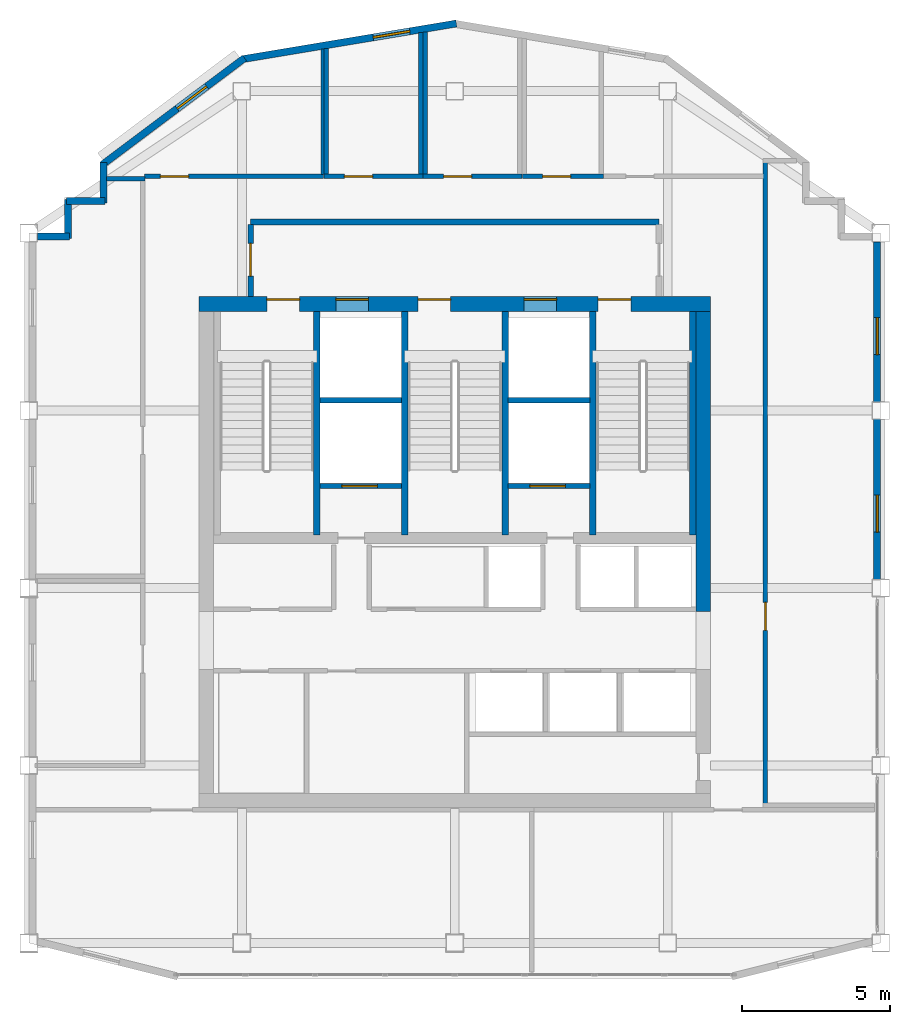
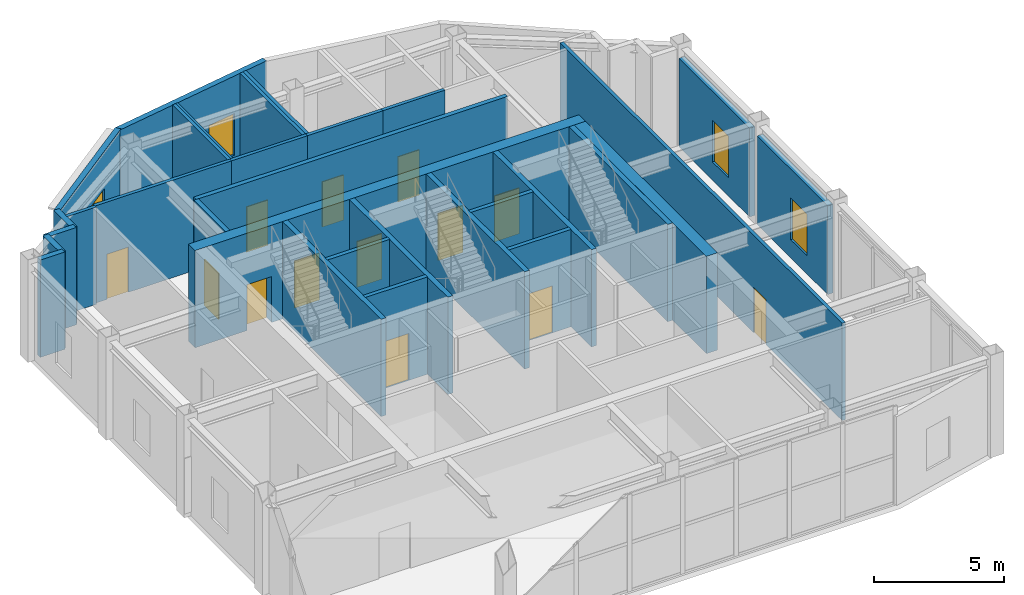
# One storey, part 8 of 11: 31 walls, 13 doors, 4 windows, 17 openings.
"""IFC4 building model written with IfcOpenShell, lengths in metres."""

from ifc_helpers import new_model, si_unit, direction, frame, frame_2d, origin, place, context, subcontext, project, spatial, rectangle, extrude, material, layer, layer_set, type_object, element, fill, save


model = new_model("IFC4")

# Units and contexts
model_context = context("Model", 3, precision=1e-05, world=origin(), true_north=direction((0.0, 1.0)))
body_context = subcontext(model_context, "Body", "Model", "MODEL_VIEW")
ifc_project = project(units=[si_unit("LENGTHUNIT", "METRE"), si_unit("AREAUNIT", "SQUARE_METRE"), si_unit("VOLUMEUNIT", "CUBIC_METRE"), si_unit("PLANEANGLEUNIT", "RADIAN"), si_unit("MASSUNIT", "GRAM", prefix="KILO")], contexts=[model_context])

# Site, building, storey
site_placement = place(None, origin())
site = spatial("IfcSite", under=ifc_project, at=site_placement, CompositionType="ELEMENT")
building_placement = place(site_placement, origin())
building = spatial("IfcBuilding", under=site, at=building_placement, Name="Haolan Belvedere Tower", CompositionType="ELEMENT")
storey_placement = place(building_placement, frame((0.0, 0.0, 313.39990234375)))
storey = spatial("IfcBuildingStorey", under=building, at=storey_placement, Name="L79", CompositionType="ELEMENT", Elevation=313.39990234375)

# Wall, openings, doors
ifc_material_1 = material(Name="Concrete C50/60", Category="concrete")
ifc_layer_1 = layer(ifc_material_1, 0.5, Name="Concrete C50/60")
ifc_layer_set_1 = layer_set([ifc_layer_1], Name="Concrete C50/60")
wall_type_1 = type_object("IfcWallType", Name="WL-CORE-500", PredefinedType="SHEAR", material=ifc_layer_set_1)
wall_1_placement = place(storey_placement, frame((29.75, 43.199951171875, 0.0), z_axis=(0.0, 0.0, 1.0), x_axis=(1.0, 0.0, 0.0)))
wall_1 = element("IfcWall", 1, at=wall_1_placement, inside=storey, type_object=wall_type_1, Name="L79 central core north shear wall", PredefinedType="SHEAR", context=body_context, shape_type="SweptSolid", body=[
    extrude(rectangle(XDim=17.300048828125, YDim=0.5, at=frame_2d((8.64990234375, 0.0))), origin(), (0.0, 0.0, 1.0), 4.56005859375),
])
opening_1_placement = place(wall_1_placement, frame((2.300048828125, 0.0, 0.0)))
opening_1 = element("IfcOpeningElement", 2, at=opening_1_placement, cuts=wall_1, Name="Opening FD-03", PredefinedType="OPENING", context=body_context, shape_type="SweptSolid", body=[
    extrude(rectangle(XDim=1.10009765625, YDim=2.14990234375, at=frame_2d((0.550048828125, 1.074951171875))), frame((0.0, 0.260009765625, 0.0), z_axis=(0.0, -1.0, 0.0), x_axis=(1.0, 0.0, 0.0)), (0.0, 0.0, 1.0), 0.52001953125),
])
opening_2_placement = place(wall_1_placement, frame((7.409912109375, 0.0, 0.0)))
opening_2 = element("IfcOpeningElement", 3, at=opening_2_placement, cuts=wall_1, Name="Opening FD-03", PredefinedType="OPENING", context=body_context, shape_type="SweptSolid", body=[
    extrude(rectangle(XDim=1.10009765625, YDim=2.14990234375, at=frame_2d((0.550048828125, 1.074951171875))), frame((0.0, 0.260009765625, 0.0), z_axis=(0.0, -1.0, 0.0), x_axis=(1.0, 0.0, 0.0)), (0.0, 0.0, 1.0), 0.52001953125),
])
opening_3_placement = place(wall_1_placement, frame((13.5, 0.0, 0.0)))
opening_3 = element("IfcOpeningElement", 4, at=opening_3_placement, cuts=wall_1, Name="Opening FD-03", PredefinedType="OPENING", context=body_context, shape_type="SweptSolid", body=[
    extrude(rectangle(XDim=1.10009765625, YDim=2.14990234375, at=frame_2d((0.550048828125, 1.074951171875))), frame((0.0, 0.260009765625, 0.0), z_axis=(0.0, -1.0, 0.0), x_axis=(1.0, 0.0, 0.0)), (0.0, 0.0, 1.0), 0.52001953125),
])
opening_4_placement = place(wall_1_placement, frame((4.6298828125, 0.0, 0.0)))
opening_4 = element("IfcOpeningElement", 5, at=opening_4_placement, cuts=wall_1, Name="Opening LD-01", PredefinedType="OPENING", context=body_context, shape_type="SweptSolid", body=[
    extrude(rectangle(XDim=1.10009765625, YDim=2.199951171875, at=frame_2d((0.550048828125, 1.10009765625))), frame((0.0, 0.260009765625, 0.0), z_axis=(0.0, -1.0, 0.0), x_axis=(1.0, 0.0, 0.0)), (0.0, 0.0, 1.0), 0.52001953125),
])
opening_5_placement = place(wall_1_placement, frame((10.989990234375, 0.0, 0.0)))
opening_5 = element("IfcOpeningElement", 6, at=opening_5_placement, cuts=wall_1, Name="Opening LD-01", PredefinedType="OPENING", context=body_context, shape_type="SweptSolid", body=[
    extrude(rectangle(XDim=1.10009765625, YDim=2.199951171875, at=frame_2d((0.550048828125, 1.10009765625))), frame((0.0, 0.260009765625, 0.0), z_axis=(0.0, -1.0, 0.0), x_axis=(1.0, 0.0, 0.0)), (0.0, 0.0, 1.0), 0.52001953125),
])
ifc_material_2 = material(Name="Galvanised fire-rated steel", Category="steel")
door_type_1 = type_object("IfcDoorType", Name="DR-FD90-1100", OperationType="NOTDEFINED", PredefinedType="DOOR", material=ifc_material_2)
door_1_placement = place(opening_1_placement, origin())
door_1 = element("IfcDoor", 7, at=door_1_placement, inside=storey, type_object=door_type_1, Name="L79 door CD-L79-ST1", OperationType="SINGLE_SWING_LEFT", OverallHeight=2.14990234375, OverallWidth=1.10009765625, PredefinedType="DOOR", context=body_context, shape_type="SweptSolid", body=[
    extrude(rectangle(XDim=1.10009765625, YDim=2.14990234375, at=frame_2d((0.550048828125, 1.074951171875))), frame((0.0, 0.18505859375, 0.0), z_axis=(0.0, -1.0, 0.0), x_axis=(1.0, 0.0, 0.0)), (0.0, 0.0, 1.0), 0.050048828125),
])
fill(opening_1, door_1)
door_2_placement = place(opening_2_placement, origin())
door_2 = element("IfcDoor", 8, at=door_2_placement, inside=storey, type_object=door_type_1, Name="L79 door CD-L79-ST3", OperationType="SINGLE_SWING_LEFT", OverallHeight=2.14990234375, OverallWidth=1.10009765625, PredefinedType="DOOR", context=body_context, shape_type="SweptSolid", body=[
    extrude(rectangle(XDim=1.10009765625, YDim=2.14990234375, at=frame_2d((0.550048828125, 1.074951171875))), frame((0.0, 0.18505859375, 0.0), z_axis=(0.0, -1.0, 0.0), x_axis=(1.0, 0.0, 0.0)), (0.0, 0.0, 1.0), 0.050048828125),
])
fill(opening_2, door_2)
door_3_placement = place(opening_3_placement, origin())
door_3 = element("IfcDoor", 9, at=door_3_placement, inside=storey, type_object=door_type_1, Name="L79 door CD-L79-ST2", OperationType="SINGLE_SWING_RIGHT", OverallHeight=2.14990234375, OverallWidth=1.10009765625, PredefinedType="DOOR", context=body_context, shape_type="SweptSolid", body=[
    extrude(rectangle(XDim=1.10009765625, YDim=2.14990234375, at=frame_2d((0.550048828125, 1.074951171875))), frame((0.0, 0.18505859375, 0.0), z_axis=(0.0, -1.0, 0.0), x_axis=(1.0, 0.0, 0.0)), (0.0, 0.0, 1.0), 0.050048828125),
])
fill(opening_3, door_3)
ifc_material_3 = material(Name="Brushed champagne stainless steel 316L", Category="steel")
door_type_2 = type_object("IfcDoorType", Name="DR-LIFT-1100", OperationType="SLIDING_TO_LEFT", PredefinedType="DOOR", material=ifc_material_3)
door_4_placement = place(opening_4_placement, origin())
door_4 = element("IfcDoor", 10, at=door_4_placement, inside=storey, type_object=door_type_2, Name="L79 door LD-L79-FF1", OperationType="SLIDING_TO_LEFT", OverallHeight=2.199951171875, OverallWidth=1.10009765625, PredefinedType="DOOR", context=body_context, shape_type="SweptSolid", body=[
    extrude(rectangle(XDim=1.10009765625, YDim=2.199951171875, at=frame_2d((0.550048828125, 1.10009765625))), frame((0.0, 0.18505859375, 0.0), z_axis=(0.0, -1.0, 0.0), x_axis=(1.0, 0.0, 0.0)), (0.0, 0.0, 1.0), 0.050048828125),
])
fill(opening_4, door_4)
door_5_placement = place(opening_5_placement, origin())
door_5 = element("IfcDoor", 11, at=door_5_placement, inside=storey, type_object=door_type_2, Name="L79 door LD-L79-FF2", OperationType="SLIDING_TO_LEFT", OverallHeight=2.199951171875, OverallWidth=1.10009765625, PredefinedType="DOOR", context=body_context, shape_type="SweptSolid", body=[
    extrude(rectangle(XDim=1.10009765625, YDim=2.199951171875, at=frame_2d((0.550048828125, 1.10009765625))), frame((0.0, 0.18505859375, 0.0), z_axis=(0.0, -1.0, 0.0), x_axis=(1.0, 0.0, 0.0)), (0.0, 0.0, 1.0), 0.050048828125),
])
fill(opening_5, door_5)

# Wall
wall_2_placement = place(storey_placement, frame((46.800048828125, 32.800048828125, 0.0), z_axis=(0.0, 0.0, 1.0), x_axis=(0.0, 1.0, 0.0)))
element("IfcWall", 12, at=wall_2_placement, inside=storey, type_object=wall_type_1, Name="L79 central core shear wall EN", PredefinedType="SHEAR", context=body_context, shape_type="SweptSolid", body=[
    extrude(rectangle(XDim=10.14990234375, YDim=0.5, at=frame_2d((5.074951171875, 0.0))), origin(), (0.0, 0.0, 1.0), 4.56005859375),
])

# Wall, opening, window
ifc_material_4 = material(Name="Precast concrete C40/50", Category="concrete")
ifc_layer_2 = layer(ifc_material_4, 0.239990234375, Name="Precast concrete C40/50")
ifc_layer_set_2 = layer_set([ifc_layer_2], Name="Precast concrete C40/50")
wall_type_2 = type_object("IfcWallType", Name="WL-EXT-240", PredefinedType="SOLIDWALL", material=ifc_layer_set_2)
wall_3_placement = place(storey_placement, frame((52.679931640625, 33.89208984375, 0.0), z_axis=(0.0, 0.0, 1.0), x_axis=(0.0, 1.0, 0.0)))
wall_3 = element("IfcWall", 13, at=wall_3_placement, inside=storey, type_object=wall_type_2, Name="L79 pale-metal exterior spandrel wall 3.3", PredefinedType="SOLIDWALL", context=body_context, shape_type="SweptSolid", body=[
    extrude(rectangle(XDim=5.416015625, YDim=0.239990234375, at=frame_2d((2.7080078125, 0.0))), origin(), (0.0, 0.0, 1.0), 4.155029296875),
])
opening_6_placement = place(wall_3_placement, frame((1.60009765625, 0.0, 0.85009765625)))
opening_6 = element("IfcOpeningElement", 14, at=opening_6_placement, cuts=wall_3, Name="Opening W-04", PredefinedType="OPENING", context=body_context, shape_type="SweptSolid", body=[
    extrude(rectangle(XDim=1.25, YDim=1.949951171875, at=frame_2d((0.625, 0.97509765625))), frame((0.0, 0.1298828125, 0.0), z_axis=(0.0, -1.0, 0.0), x_axis=(1.0, 0.0, 0.0)), (0.0, 0.0, 1.0), 0.260009765625),
])
ifc_material_5 = material(Name="Anodised aluminium 6063-T6 and Low-E glass", Category="aluminium")
window_type = type_object("IfcWindowType", Name="WN-DECO-Z4", PartitioningType="SINGLE_PANEL", PredefinedType="WINDOW", material=ifc_material_5)
window_1_placement = place(opening_6_placement, origin())
window_1 = element("IfcWindow", 15, at=window_1_placement, inside=storey, type_object=window_type, Name="L79 Art Deco chevron window 1", OverallHeight=1.949951171875, OverallWidth=1.25, PartitioningType="SINGLE_PANEL", PredefinedType="WINDOW", context=body_context, shape_type="SweptSolid", body=[
    extrude(rectangle(XDim=1.25, YDim=1.949951171875, at=frame_2d((0.625, 0.97509765625))), frame((0.0, 0.030029296875, 0.0), z_axis=(0.0, -1.0, 0.0), x_axis=(1.0, 0.0, 0.0)), (0.0, 0.0, 1.0), 0.06005859375),
])
fill(opening_6, window_1)

wall_4_placement = place(storey_placement, frame((52.679931640625, 39.89208984375, 0.0), z_axis=(0.0, 0.0, 1.0), x_axis=(0.0, 1.0, 0.0)))
wall_4 = element("IfcWall", 16, at=wall_4_placement, inside=storey, type_object=wall_type_2, Name="L79 pale-metal exterior spandrel wall 3.4", PredefinedType="SOLIDWALL", context=body_context, shape_type="SweptSolid", body=[
    extrude(rectangle(XDim=5.416015625, YDim=0.239990234375, at=frame_2d((2.7080078125, 0.0))), origin(), (0.0, 0.0, 1.0), 4.155029296875),
])
opening_7_placement = place(wall_4_placement, frame((1.60009765625, 0.0, 0.85009765625)))
opening_7 = element("IfcOpeningElement", 17, at=opening_7_placement, cuts=wall_4, Name="Opening W-04", PredefinedType="OPENING", context=body_context, shape_type="SweptSolid", body=[
    extrude(rectangle(XDim=1.25, YDim=1.949951171875, at=frame_2d((0.625, 0.97509765625))), frame((0.0, 0.1298828125, 0.0), z_axis=(0.0, -1.0, 0.0), x_axis=(1.0, 0.0, 0.0)), (0.0, 0.0, 1.0), 0.260009765625),
])
window_2_placement = place(opening_7_placement, origin())
window_2 = element("IfcWindow", 18, at=window_2_placement, inside=storey, type_object=window_type, Name="L79 Art Deco chevron window 1", OverallHeight=1.949951171875, OverallWidth=1.25, PartitioningType="SINGLE_PANEL", PredefinedType="WINDOW", context=body_context, shape_type="SweptSolid", body=[
    extrude(rectangle(XDim=1.25, YDim=1.949951171875, at=frame_2d((0.625, 0.97509765625))), frame((0.0, 0.030029296875, 0.0), z_axis=(0.0, -1.0, 0.0), x_axis=(1.0, 0.0, 0.0)), (0.0, 0.0, 1.0), 0.06005859375),
])
fill(opening_7, window_2)

wall_5_placement = place(storey_placement, frame((38.454345703125, 52.687255859375, 0.0), z_axis=(0.0, 0.0, 1.0), x_axis=(-0.986394820321, -0.164393608283, 0.0)))
wall_5 = element("IfcWall", 19, at=wall_5_placement, inside=storey, type_object=wall_type_2, Name="L79 pale-metal exterior spandrel wall 10.1", PredefinedType="SOLIDWALL", context=body_context, shape_type="SweptSolid", body=[
    extrude(rectangle(XDim=7.360107421875, YDim=0.239990234375, at=frame_2d((3.68017578125, 0.0))), origin(), (0.0, 0.0, 1.0), 4.56005859375),
])
opening_8_placement = place(wall_5_placement, frame((1.60009765625, 0.0, 0.85009765625)))
opening_8 = element("IfcOpeningElement", 20, at=opening_8_placement, cuts=wall_5, Name="Opening W-04", PredefinedType="OPENING", context=body_context, shape_type="SweptSolid", body=[
    extrude(rectangle(XDim=1.25, YDim=1.949951171875, at=frame_2d((0.625, 0.97509765625))), frame((0.0, 0.1298828125, 0.0), z_axis=(0.0, -1.0, 0.0), x_axis=(1.0, 0.0, 0.0)), (0.0, 0.0, 1.0), 0.260009765625),
])
window_3_placement = place(opening_8_placement, origin())
window_3 = element("IfcWindow", 21, at=window_3_placement, inside=storey, type_object=window_type, Name="L79 Art Deco chevron window 1", OverallHeight=1.949951171875, OverallWidth=1.25, PartitioningType="SINGLE_PANEL", PredefinedType="WINDOW", context=body_context, shape_type="SweptSolid", body=[
    extrude(rectangle(XDim=1.25, YDim=1.949951171875, at=frame_2d((0.625, 0.97509765625))), frame((0.0, 0.030029296875, 0.0), z_axis=(0.0, -1.0, 0.0), x_axis=(1.0, 0.0, 0.0)), (0.0, 0.0, 1.0), 0.06005859375),
])
fill(opening_8, window_3)

wall_6_placement = place(storey_placement, frame((31.29248046875, 51.519287109375, 0.0), z_axis=(0.0, 0.0, 1.0), x_axis=(-0.8, -0.6, 0.0)))
wall_6 = element("IfcWall", 22, at=wall_6_placement, inside=storey, type_object=wall_type_2, Name="L79 pale-metal exterior spandrel wall 11.1", PredefinedType="SOLIDWALL", context=body_context, shape_type="SweptSolid", body=[
    extrude(rectangle(XDim=6.0205078125, YDim=0.239990234375, at=frame_2d((3.01025390625, 0.0))), origin(), (0.0, 0.0, 1.0), 4.56005859375),
])
opening_9_placement = place(wall_6_placement, frame((1.60009765625, 0.0, 0.85009765625)))
opening_9 = element("IfcOpeningElement", 23, at=opening_9_placement, cuts=wall_6, Name="Opening W-04", PredefinedType="OPENING", context=body_context, shape_type="SweptSolid", body=[
    extrude(rectangle(XDim=1.25, YDim=1.949951171875, at=frame_2d((0.625, 0.97509765625))), frame((0.0, 0.1298828125, 0.0), z_axis=(0.0, -1.0, 0.0), x_axis=(1.0, 0.0, 0.0)), (0.0, 0.0, 1.0), 0.260009765625),
])
window_4_placement = place(opening_9_placement, origin())
window_4 = element("IfcWindow", 24, at=window_4_placement, inside=storey, type_object=window_type, Name="L79 Art Deco chevron window 1", OverallHeight=1.949951171875, OverallWidth=1.25, PartitioningType="SINGLE_PANEL", PredefinedType="WINDOW", context=body_context, shape_type="SweptSolid", body=[
    extrude(rectangle(XDim=1.25, YDim=1.949951171875, at=frame_2d((0.625, 0.97509765625))), frame((0.0, 0.030029296875, 0.0), z_axis=(0.0, -1.0, 0.0), x_axis=(1.0, 0.0, 0.0)), (0.0, 0.0, 1.0), 0.06005859375),
])
fill(opening_9, window_4)

# Walls
wall_7_placement = place(storey_placement, frame((26.52001953125, 47.9951171875, 0.0), z_axis=(0.0, 0.0, 1.0), x_axis=(0.0, -1.0, 0.0)))
element("IfcWall", 25, at=wall_7_placement, inside=storey, type_object=wall_type_2, Name="L79 pale-metal exterior spandrel wall 12.1", PredefinedType="SOLIDWALL", context=body_context, shape_type="SweptSolid", body=[
    extrude(rectangle(XDim=1.3701171875, YDim=0.239990234375, at=frame_2d((0.68505859375, 0.0))), origin(), (0.0, 0.0, 1.0), 4.56005859375),
])
for number, where, z_axis, x_axis, name in (
    (26, (26.574951171875, 46.679931640625, 0.0), (0.0, 0.0, 1.0), (-1.0, 0.0, 0.0), "L79 pale-metal exterior spandrel wall 13.1"),
    (27, (25.320068359375, 46.735107421875, 0.0), (0.0, 0.0, 1.0), (0.0, -1.0, 0.0), "L79 pale-metal exterior spandrel wall 14.1"),
):
    element("IfcWall", number, at=place(storey_placement, frame(where, z_axis=z_axis, x_axis=x_axis)), inside=storey, type_object=wall_type_2, Name=name, PredefinedType="SOLIDWALL", context=body_context, shape_type="SweptSolid", body=[
        extrude(rectangle(XDim=1.31005859375, YDim=0.239990234375, at=frame_2d((0.655029296875, 0.0))), origin(), (0.0, 0.0, 1.0), 4.56005859375),
    ])
wall_8_placement = place(storey_placement, frame((25.375, 45.47998046875, 0.0), z_axis=(0.0, 0.0, 1.0), x_axis=(-1.0, 0.0, 0.0)))
element("IfcWall", 28, at=wall_8_placement, inside=storey, type_object=wall_type_2, Name="L79 pale-metal exterior spandrel wall 15.1", PredefinedType="SOLIDWALL", context=body_context, shape_type="SweptSolid", body=[
    extrude(rectangle(XDim=1.0830078125, YDim=0.239990234375, at=frame_2d((0.54150390625, 0.0))), origin(), (0.0, 0.0, 1.0), 4.56005859375),
])
ifc_material_6 = material(Name="Concrete C40/50", Category="concrete")
ifc_layer_3 = layer(ifc_material_6, 0.199951171875, Name="Concrete C40/50")
ifc_layer_set_3 = layer_set([ifc_layer_3], Name="Concrete C40/50")
wall_type_3 = type_object("IfcWallType", Name="WL-FIRE-200", PredefinedType="SOLIDWALL", material=ifc_layer_set_3)
wall_9_placement = place(storey_placement, frame((31.5, 45.97998046875, 0.0), z_axis=(0.0, 0.0, 1.0), x_axis=(1.0, 0.0, 0.0)))
element("IfcWall", 29, at=wall_9_placement, inside=storey, type_object=wall_type_3, Name="L79 interior partition IW-L79-FFL-N", PredefinedType="SOLIDWALL", context=body_context, shape_type="SweptSolid", body=[
    extrude(rectangle(XDim=13.800048828125, YDim=0.199951171875, at=frame_2d((6.89990234375, 0.0))), origin(), (0.0, 0.0, 1.0), 4.56005859375),
])

# Wall, opening, door
wall_10_placement = place(storey_placement, frame((31.5, 43.449951171875, 0.0), z_axis=(0.0, 0.0, 1.0), x_axis=(0.0, 1.0, 0.0)))
wall_10 = element("IfcWall", 30, at=wall_10_placement, inside=storey, type_object=wall_type_3, Name="L79 interior partition IW-L79-FFL-W", PredefinedType="SOLIDWALL", context=body_context, shape_type="SweptSolid", body=[
    extrude(rectangle(XDim=2.445068359375, YDim=0.199951171875, at=frame_2d((1.22265625, 0.0))), origin(), (0.0, 0.0, 1.0), 4.56005859375),
])
opening_10_placement = place(wall_10_placement, frame((1.800048828125, 0.0, 0.0), z_axis=(0.0, 0.0, 1.0), x_axis=(-1.0, 0.0, 0.0)))
opening_10 = element("IfcOpeningElement", 31, at=opening_10_placement, cuts=wall_10, Name="Opening FD-03", PredefinedType="OPENING", context=body_context, shape_type="SweptSolid", body=[
    extrude(rectangle(XDim=1.10009765625, YDim=2.14990234375, at=frame_2d((0.550048828125, 1.074951171875))), frame((0.0, 0.10986328125, 0.0), z_axis=(0.0, -1.0, 0.0), x_axis=(1.0, 0.0, 0.0)), (0.0, 0.0, 1.0), 0.219970703125),
])
door_6_placement = place(opening_10_placement, origin())
door_6 = element("IfcDoor", 32, at=door_6_placement, inside=storey, type_object=door_type_1, Name="L79 door ID-L79-FFL-DW", OperationType="SINGLE_SWING_LEFT", OverallHeight=2.14990234375, OverallWidth=1.10009765625, PredefinedType="DOOR", context=body_context, shape_type="SweptSolid", body=[
    extrude(rectangle(XDim=1.10009765625, YDim=2.14990234375, at=frame_2d((0.550048828125, 1.074951171875))), frame((0.0, 0.02490234375, 0.0), z_axis=(0.0, -1.0, 0.0), x_axis=(1.0, 0.0, 0.0)), (0.0, 0.0, 1.0), 0.050048828125),
])
fill(opening_10, door_6)

ifc_material_7 = material(Name="Double gypsum acoustic stud partition", Category="masonry")
ifc_layer_4 = layer(ifc_material_7, 0.14990234375, Name="Double gypsum acoustic stud partition")
ifc_layer_set_4 = layer_set([ifc_layer_4], Name="Double gypsum acoustic stud partition")
wall_type_4 = type_object("IfcWallType", Name="WL-PART-150", PredefinedType="PARTITIONING", material=ifc_layer_set_4)
wall_11_placement = place(storey_placement, frame((33.969970703125, 47.52001953125, 0.0), z_axis=(0.0, 0.0, 1.0), x_axis=(1.0, 0.0, 0.0)))
wall_11 = element("IfcWall", 33, at=wall_11_placement, inside=storey, type_object=wall_type_4, Name="L79 interior partition IW-L79-WCM-S", PredefinedType="PARTITIONING", context=body_context, shape_type="SweptSolid", body=[
    extrude(rectangle(XDim=3.360107421875, YDim=0.14990234375, at=frame_2d((1.68017578125, 0.0))), origin(), (0.0, 0.0, 1.0), 4.56005859375),
])
opening_11_placement = place(wall_11_placement, frame((0.699951171875, 0.0, 0.0)))
opening_11 = element("IfcOpeningElement", 34, at=opening_11_placement, cuts=wall_11, Name="Opening ID-03", PredefinedType="OPENING", context=body_context, shape_type="SweptSolid", body=[
    extrude(rectangle(XDim=0.949951171875, YDim=2.1201171875, at=frame_2d((0.47509765625, 1.06005859375))), frame((0.0, 0.0849609375, 0.0), z_axis=(0.0, -1.0, 0.0), x_axis=(1.0, 0.0, 0.0)), (0.0, 0.0, 1.0), 0.169921875),
])
ifc_material_8 = material(Name="Painted solid-core timber", Category="wood")
door_type_3 = type_object("IfcDoorType", Name="DR-INT-950", OperationType="NOTDEFINED", PredefinedType="DOOR", material=ifc_material_8)
door_7_placement = place(opening_11_placement, origin())
door_7 = element("IfcDoor", 35, at=door_7_placement, inside=storey, type_object=door_type_3, Name="L79 door ID-L79-WCM", OperationType="SINGLE_SWING_LEFT", OverallHeight=2.1201171875, OverallWidth=0.949951171875, PredefinedType="DOOR", context=body_context, shape_type="SweptSolid", body=[
    extrude(rectangle(XDim=0.949951171875, YDim=2.1201171875, at=frame_2d((0.47509765625, 1.06005859375))), frame((0.0, 0.02490234375, 0.0), z_axis=(0.0, -1.0, 0.0), x_axis=(1.0, 0.0, 0.0)), (0.0, 0.0, 1.0), 0.050048828125),
])
fill(opening_11, door_7)

# Walls
wall_12_placement = place(storey_placement, frame((34.050048828125, 47.580078125, 0.0), z_axis=(0.0, 0.0, 1.0), x_axis=(0.0, 1.0, 0.0)))
element("IfcWall", 36, at=wall_12_placement, inside=storey, type_object=wall_type_4, Name="L79 interior partition IW-L79-WCM-W", PredefinedType="PARTITIONING", context=body_context, shape_type="SweptSolid", body=[
    extrude(rectangle(XDim=4.266845703125, YDim=0.14990234375, at=frame_2d((2.13330078125, 0.0))), origin(), (0.0, 0.0, 1.0), 4.56005859375),
])
wall_13_placement = place(storey_placement, frame((37.25, 47.580078125, 0.0), z_axis=(0.0, 0.0, 1.0), x_axis=(0.0, 1.0, 0.0)))
element("IfcWall", 37, at=wall_13_placement, inside=storey, type_object=wall_type_4, Name="L79 interior partition IW-L79-WCM-E", PredefinedType="PARTITIONING", context=body_context, shape_type="SweptSolid", body=[
    extrude(rectangle(XDim=4.800048828125, YDim=0.14990234375, at=frame_2d((2.39990234375, 0.0))), origin(), (0.0, 0.0, 1.0), 4.56005859375),
])

# Wall, opening, door
wall_14_placement = place(storey_placement, frame((37.33203125, 47.52001953125, 0.0), z_axis=(0.0, 0.0, 1.0), x_axis=(1.0, 0.0, 0.0)))
wall_14 = element("IfcWall", 38, at=wall_14_placement, inside=storey, type_object=wall_type_4, Name="L79 interior partition IW-L79-WCF-S", PredefinedType="PARTITIONING", context=body_context, shape_type="SweptSolid", body=[
    extrude(rectangle(XDim=3.347900390625, YDim=0.14990234375, at=frame_2d((1.673828125, 0.0))), origin(), (0.0, 0.0, 1.0), 4.56005859375),
])
opening_12_placement = place(wall_14_placement, frame((0.68798828125, 0.0, 0.0)))
opening_12 = element("IfcOpeningElement", 39, at=opening_12_placement, cuts=wall_14, Name="Opening ID-03", PredefinedType="OPENING", context=body_context, shape_type="SweptSolid", body=[
    extrude(rectangle(XDim=0.949951171875, YDim=2.1201171875, at=frame_2d((0.47509765625, 1.06005859375))), frame((0.0, 0.0849609375, 0.0), z_axis=(0.0, -1.0, 0.0), x_axis=(1.0, 0.0, 0.0)), (0.0, 0.0, 1.0), 0.169921875),
])
door_8_placement = place(opening_12_placement, origin())
door_8 = element("IfcDoor", 40, at=door_8_placement, inside=storey, type_object=door_type_3, Name="L79 door ID-L79-WCF", OperationType="SINGLE_SWING_RIGHT", OverallHeight=2.1201171875, OverallWidth=0.949951171875, PredefinedType="DOOR", context=body_context, shape_type="SweptSolid", body=[
    extrude(rectangle(XDim=0.949951171875, YDim=2.1201171875, at=frame_2d((0.47509765625, 1.06005859375))), frame((0.0, 0.02490234375, 0.0), z_axis=(0.0, -1.0, 0.0), x_axis=(1.0, 0.0, 0.0)), (0.0, 0.0, 1.0), 0.050048828125),
])
fill(opening_12, door_8)

# Wall
wall_15_placement = place(storey_placement, frame((37.39990234375, 47.580078125, 0.0), z_axis=(0.0, 0.0, 1.0), x_axis=(0.0, 1.0, 0.0)))
element("IfcWall", 41, at=wall_15_placement, inside=storey, type_object=wall_type_4, Name="L79 interior partition IW-L79-WCF-W", PredefinedType="PARTITIONING", context=body_context, shape_type="SweptSolid", body=[
    extrude(rectangle(XDim=4.824951171875, YDim=0.14990234375, at=frame_2d((2.41259765625, 0.0))), origin(), (0.0, 0.0, 1.0), 4.56005859375),
])

# Wall, opening, door
wall_16_placement = place(storey_placement, frame((40.681884765625, 47.52001953125, 0.0), z_axis=(0.0, 0.0, 1.0), x_axis=(1.0, 0.0, 0.0)))
wall_16 = element("IfcWall", 42, at=wall_16_placement, inside=storey, type_object=wall_type_4, Name="L79 interior partition IW-L79-WCA-S", PredefinedType="PARTITIONING", context=body_context, shape_type="SweptSolid", body=[
    extrude(rectangle(XDim=2.748046875, YDim=0.14990234375, at=frame_2d((1.3740234375, 0.0))), origin(), (0.0, 0.0, 1.0), 4.56005859375),
])
opening_13_placement = place(wall_16_placement, frame((0.68798828125, 0.0, 0.0)))
opening_13 = element("IfcOpeningElement", 43, at=opening_13_placement, cuts=wall_16, Name="Opening ID-03", PredefinedType="OPENING", context=body_context, shape_type="SweptSolid", body=[
    extrude(rectangle(XDim=0.949951171875, YDim=2.1201171875, at=frame_2d((0.47509765625, 1.06005859375))), frame((0.0, 0.0849609375, 0.0), z_axis=(0.0, -1.0, 0.0), x_axis=(1.0, 0.0, 0.0)), (0.0, 0.0, 1.0), 0.169921875),
])
door_9_placement = place(opening_13_placement, origin())
door_9 = element("IfcDoor", 44, at=door_9_placement, inside=storey, type_object=door_type_3, Name="L79 door ID-L79-WCA", OperationType="SINGLE_SWING_LEFT", OverallHeight=2.1201171875, OverallWidth=0.949951171875, PredefinedType="DOOR", context=body_context, shape_type="SweptSolid", body=[
    extrude(rectangle(XDim=0.949951171875, YDim=2.1201171875, at=frame_2d((0.47509765625, 1.06005859375))), frame((0.0, 0.02490234375, 0.0), z_axis=(0.0, -1.0, 0.0), x_axis=(1.0, 0.0, 0.0)), (0.0, 0.0, 1.0), 0.050048828125),
])
fill(opening_13, door_9)

# Wall
wall_17_placement = place(storey_placement, frame((26.625, 47.43994140625, 0.0), z_axis=(0.0, 0.0, 1.0), x_axis=(1.0, 0.0, 0.0)))
element("IfcWall", 45, at=wall_17_placement, inside=storey, type_object=wall_type_4, Name="L79 interior partition IW-L79-SKIT-N", PredefinedType="PARTITIONING", context=body_context, shape_type="SweptSolid", body=[
    extrude(rectangle(XDim=1.304931640625, YDim=0.14990234375, at=frame_2d((0.65234375, 0.0))), origin(), (0.0, 0.0, 1.0), 4.56005859375),
])

# Wall, opening, door
wall_18_placement = place(storey_placement, frame((48.89990234375, 26.31005859375, 0.0), z_axis=(0.0, 0.0, 1.0), x_axis=(0.0, 1.0, 0.0)))
wall_18 = element("IfcWall", 46, at=wall_18_placement, inside=storey, type_object=wall_type_4, Name="L79 interior partition IW-L79-SOMM-W", PredefinedType="PARTITIONING", context=body_context, shape_type="SweptSolid", body=[
    extrude(rectangle(XDim=21.679931640625, YDim=0.14990234375, at=frame_2d((10.83984375, 0.0))), origin(), (0.0, 0.0, 1.0), 4.56005859375),
])
opening_14_placement = place(wall_18_placement, frame((5.860107421875, 0.0, 0.0)))
opening_14 = element("IfcOpeningElement", 47, at=opening_14_placement, cuts=wall_18, Name="Opening ID-03", PredefinedType="OPENING", context=body_context, shape_type="SweptSolid", body=[
    extrude(rectangle(XDim=0.949951171875, YDim=2.1201171875, at=frame_2d((0.47509765625, 1.06005859375))), frame((0.0, 0.0849609375, 0.0), z_axis=(0.0, -1.0, 0.0), x_axis=(1.0, 0.0, 0.0)), (0.0, 0.0, 1.0), 0.169921875),
])
door_10_placement = place(opening_14_placement, origin())
door_10 = element("IfcDoor", 48, at=door_10_placement, inside=storey, type_object=door_type_3, Name="L79 door ID-L79-SOMM", OperationType="SINGLE_SWING_RIGHT", OverallHeight=2.1201171875, OverallWidth=0.949951171875, PredefinedType="DOOR", context=body_context, shape_type="SweptSolid", body=[
    extrude(rectangle(XDim=0.949951171875, YDim=2.1201171875, at=frame_2d((0.47509765625, 1.06005859375))), frame((0.0, 0.02490234375, 0.0), z_axis=(0.0, -1.0, 0.0), x_axis=(1.0, 0.0, 0.0)), (0.0, 0.0, 1.0), 0.050048828125),
])
fill(opening_14, door_10)

wall_19_placement = place(storey_placement, frame((27.909912109375, 47.52001953125, 0.0), z_axis=(0.0, 0.0, 1.0), x_axis=(1.0, 0.0, 0.0)))
wall_19 = element("IfcWall", 49, at=wall_19_placement, inside=storey, type_object=wall_type_4, Name="L79 interior partition IW-L79-NWLNG-S", PredefinedType="PARTITIONING", context=body_context, shape_type="SweptSolid", body=[
    extrude(rectangle(XDim=6.05810546875, YDim=0.14990234375, at=frame_2d((3.029052734375, 0.0))), origin(), (0.0, 0.0, 1.0), 4.56005859375),
])
opening_15_placement = place(wall_19_placement, frame((0.5400390625, 0.0, 0.0)))
opening_15 = element("IfcOpeningElement", 50, at=opening_15_placement, cuts=wall_19, Name="Opening ID-03", PredefinedType="OPENING", context=body_context, shape_type="SweptSolid", body=[
    extrude(rectangle(XDim=0.949951171875, YDim=2.1201171875, at=frame_2d((0.47509765625, 1.06005859375))), frame((0.0, 0.0849609375, 0.0), z_axis=(0.0, -1.0, 0.0), x_axis=(1.0, 0.0, 0.0)), (0.0, 0.0, 1.0), 0.169921875),
])
door_11_placement = place(opening_15_placement, origin())
door_11 = element("IfcDoor", 51, at=door_11_placement, inside=storey, type_object=door_type_3, Name="L79 door ID-L79-NWLNG", OperationType="SINGLE_SWING_LEFT", OverallHeight=2.1201171875, OverallWidth=0.949951171875, PredefinedType="DOOR", context=body_context, shape_type="SweptSolid", body=[
    extrude(rectangle(XDim=0.949951171875, YDim=2.1201171875, at=frame_2d((0.47509765625, 1.06005859375))), frame((0.0, 0.02490234375, 0.0), z_axis=(0.0, -1.0, 0.0), x_axis=(1.0, 0.0, 0.0)), (0.0, 0.0, 1.0), 0.050048828125),
])
fill(opening_15, door_11)

# Walls
wall_20_placement = place(storey_placement, frame((33.949951171875, 47.580078125, 0.0), z_axis=(0.0, 0.0, 1.0), x_axis=(0.0, 1.0, 0.0)))
element("IfcWall", 52, at=wall_20_placement, inside=storey, type_object=wall_type_4, Name="L79 interior partition IW-L79-NWLNG-E", PredefinedType="PARTITIONING", context=body_context, shape_type="SweptSolid", body=[
    extrude(rectangle(XDim=4.25, YDim=0.14990234375, at=frame_2d((2.125, 0.0))), origin(), (0.0, 0.0, 1.0), 4.56005859375),
])
ifc_layer_5 = layer(ifc_material_4, 0.179931640625, Name="Precast concrete C40/50")
ifc_layer_set_5 = layer_set([ifc_layer_5], Name="Precast concrete C40/50")
wall_type_5 = type_object("IfcWallType", Name="WL-SHAFT-180", PredefinedType="SOLIDWALL", material=ifc_layer_set_5)
for number, where, z_axis, x_axis, name in (
    (53, (33.8349609375, 39.949951171875, 0.0), (0.0, 0.0, 1.0), (1.0, 0.0, 0.0), "L79 interior partition IW-L79-FF1-S"),
    (54, (40.195068359375, 39.949951171875, 0.0), (0.0, 0.0, 1.0), (1.0, 0.0, 0.0), "L79 interior partition IW-L79-FF2-S"),
):
    element("IfcWall", number, at=place(storey_placement, frame(where, z_axis=z_axis, x_axis=x_axis)), inside=storey, type_object=wall_type_5, Name=name, PredefinedType="SOLIDWALL", context=body_context, shape_type="SweptSolid", body=[
        extrude(rectangle(XDim=2.77001953125, YDim=0.179931640625, at=frame_2d((1.385009765625, 0.0))), origin(), (0.0, 0.0, 1.0), 4.56005859375),
    ])

# Wall, opening, door
wall_21_placement = place(storey_placement, frame((33.8349609375, 37.050048828125, 0.0), z_axis=(0.0, 0.0, 1.0), x_axis=(1.0, 0.0, 0.0)))
wall_21 = element("IfcWall", 55, at=wall_21_placement, inside=storey, type_object=wall_type_5, Name="L79 interior partition IW-L79-SV1-S", PredefinedType="SOLIDWALL", context=body_context, shape_type="SweptSolid", body=[
    extrude(rectangle(XDim=2.77001953125, YDim=0.179931640625, at=frame_2d((1.385009765625, 0.0))), origin(), (0.0, 0.0, 1.0), 4.56005859375),
])
opening_16_placement = place(wall_21_placement, frame((1.945068359375, 0.0, 0.0), z_axis=(0.0, 0.0, 1.0), x_axis=(-1.0, 0.0, 0.0)))
opening_16 = element("IfcOpeningElement", 56, at=opening_16_placement, cuts=wall_21, Name="Opening LD-02", PredefinedType="OPENING", context=body_context, shape_type="SweptSolid", body=[
    extrude(rectangle(XDim=1.199951171875, YDim=2.199951171875, at=frame_2d((0.60009765625, 1.10009765625))), frame((0.0, 0.099853515625, 0.0), z_axis=(0.0, -1.0, 0.0), x_axis=(1.0, 0.0, 0.0)), (0.0, 0.0, 1.0), 0.199951171875),
])
door_type_4 = type_object("IfcDoorType", Name="DR-LIFT-1200", OperationType="SLIDING_TO_RIGHT", PredefinedType="DOOR", material=ifc_material_3)
door_12_placement = place(opening_16_placement, origin())
door_12 = element("IfcDoor", 57, at=door_12_placement, inside=storey, type_object=door_type_4, Name="L79 door ID-L79-LD-SV1", OperationType="SLIDING_TO_RIGHT", OverallHeight=2.199951171875, OverallWidth=1.199951171875, PredefinedType="DOOR", context=body_context, shape_type="SweptSolid", body=[
    extrude(rectangle(XDim=1.199951171875, YDim=2.199951171875, at=frame_2d((0.60009765625, 1.10009765625))), frame((0.0, 0.02490234375, 0.0), z_axis=(0.0, -1.0, 0.0), x_axis=(1.0, 0.0, 0.0)), (0.0, 0.0, 1.0), 0.050048828125),
])
fill(opening_16, door_12)

wall_22_placement = place(storey_placement, frame((40.195068359375, 37.050048828125, 0.0), z_axis=(0.0, 0.0, 1.0), x_axis=(1.0, 0.0, 0.0)))
wall_22 = element("IfcWall", 58, at=wall_22_placement, inside=storey, type_object=wall_type_5, Name="L79 interior partition IW-L79-SV2-S", PredefinedType="SOLIDWALL", context=body_context, shape_type="SweptSolid", body=[
    extrude(rectangle(XDim=2.77001953125, YDim=0.179931640625, at=frame_2d((1.385009765625, 0.0))), origin(), (0.0, 0.0, 1.0), 4.56005859375),
])
opening_17_placement = place(wall_22_placement, frame((1.945068359375, 0.0, 0.0), z_axis=(0.0, 0.0, 1.0), x_axis=(-1.0, 0.0, 0.0)))
opening_17 = element("IfcOpeningElement", 59, at=opening_17_placement, cuts=wall_22, Name="Opening LD-02", PredefinedType="OPENING", context=body_context, shape_type="SweptSolid", body=[
    extrude(rectangle(XDim=1.199951171875, YDim=2.199951171875, at=frame_2d((0.60009765625, 1.10009765625))), frame((0.0, 0.099853515625, 0.0), z_axis=(0.0, -1.0, 0.0), x_axis=(1.0, 0.0, 0.0)), (0.0, 0.0, 1.0), 0.199951171875),
])
door_13_placement = place(opening_17_placement, origin())
door_13 = element("IfcDoor", 60, at=door_13_placement, inside=storey, type_object=door_type_4, Name="L79 door ID-L79-LD-SV2", OperationType="SLIDING_TO_RIGHT", OverallHeight=2.199951171875, OverallWidth=1.199951171875, PredefinedType="DOOR", context=body_context, shape_type="SweptSolid", body=[
    extrude(rectangle(XDim=1.199951171875, YDim=2.199951171875, at=frame_2d((0.60009765625, 1.10009765625))), frame((0.0, 0.02490234375, 0.0), z_axis=(0.0, -1.0, 0.0), x_axis=(1.0, 0.0, 0.0)), (0.0, 0.0, 1.0), 0.050048828125),
])
fill(opening_17, door_13)

# Walls
ifc_layer_6 = layer(ifc_material_1, 0.219970703125, Name="Concrete C50/60")
ifc_layer_set_6 = layer_set([ifc_layer_6], Name="Concrete C50/60")
wall_type_6 = type_object("IfcWallType", Name="WL-STAIR-220", PredefinedType="SHEAR", material=ifc_layer_set_6)
for number, where, z_axis, x_axis, name in (
    (61, (33.739990234375, 35.389892578125, 0.0), (0.0, 0.0, 1.0), (0.0, 1.0, 0.0), "L79 structural stair core wall ST1E"),
    (62, (36.699951171875, 35.389892578125, 0.0), (0.0, 0.0, 1.0), (0.0, 1.0, 0.0), "L79 structural stair core wall ST3W"),
    (63, (40.10009765625, 35.389892578125, 0.0), (0.0, 0.0, 1.0), (0.0, 1.0, 0.0), "L79 structural stair core wall ST3E"),
    (64, (43.06005859375, 35.389892578125, 0.0), (0.0, 0.0, 1.0), (0.0, 1.0, 0.0), "L79 structural stair core wall ST2W"),
    (65, (46.43798828125, 35.389892578125, 0.0), (0.0, 0.0, 1.0), (0.0, 1.0, 0.0), "L79 structural stair core wall ST2E"),
):
    element("IfcWall", number, at=place(storey_placement, frame(where, z_axis=z_axis, x_axis=x_axis)), inside=storey, type_object=wall_type_6, Name=name, PredefinedType="SHEAR", context=body_context, shape_type="SweptSolid", body=[
        extrude(rectangle(XDim=7.56005859375, YDim=0.219970703125, at=frame_2d((3.780029296875, 0.0))), origin(), (0.0, 0.0, 1.0), 4.56005859375),
    ])

save(model, "model.ifc")
